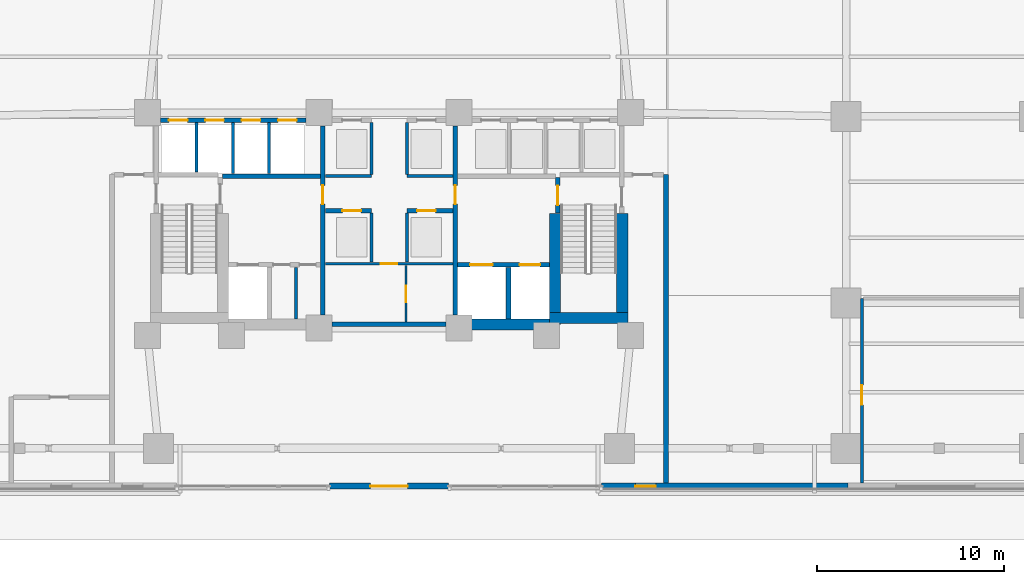
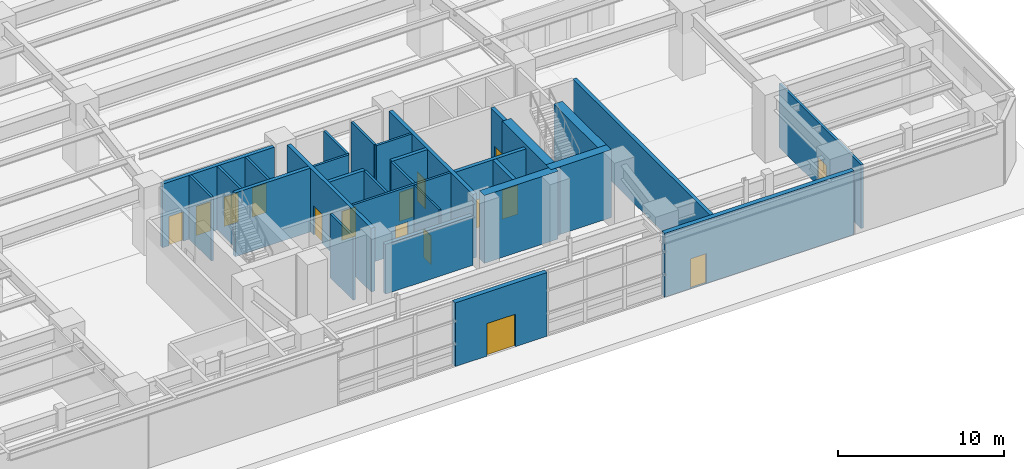
# One storey, part 14 of 26: 30 walls, 16 doors, 16 openings.
"""IFC4 building model written with IfcOpenShell, lengths in metres."""

import ifcopenshell
import ifcopenshell.guid

model = None  # the IFC model being written
_history = None  # IfcOwnerHistory: only IFC2X3 demands one
_inside = {}  # id of a spatial element -> (the spatial element, [elements in it])
_under = {}  # id of a project, library or spatial element -> (it, [spatial elements below it])
_declared = {}  # id of a project -> (the project, [libraries it declares])
_typed = {}  # id of a type object -> (the type object, [elements of that type])
_made_of = {}  # id of a material, layer set ... -> (it, [elements and type objects made of it])


def new_model(schema):
    """Start an empty IFC model of exactly this schema.

    Asked for "IFC4X3", IfcOpenShell would pick the latest addendum, in which some entities
    have other attributes; the version numbers below select the first issue.
    IFC2X3 requires an IfcOwnerHistory on every rooted entity: one is made here for all.
    """
    global model, _history
    if schema == "IFC4X3":
        model = ifcopenshell.file(schema_version=(4, 3, 0, 0))
    else:
        model = ifcopenshell.file(schema=schema)
    _inside.clear()
    _under.clear()
    _declared.clear()
    _typed.clear()
    _made_of.clear()
    _history = None
    if model.schema == "IFC2X3":
        org = make("IfcOrganization", Name="unknown")
        user = make(
            "IfcPersonAndOrganization",
            ThePerson=make("IfcPerson", FamilyName="unknown"),
            TheOrganization=org,
        )
        app = make(
            "IfcApplication",
            ApplicationDeveloper=org,
            Version="unknown",
            ApplicationFullName="unknown",
            ApplicationIdentifier="unknown",
        )
        _history = make(
            "IfcOwnerHistory",
            OwningUser=user,
            OwningApplication=app,
            ChangeAction="ADDED",
            CreationDate=0,
        )
    return model


def make(cls, **values):
    """One entity of the class cls with the attributes given. An attribute that is None is left unset."""
    return model.create_entity(
        cls, **{name: value for name, value in values.items() if value is not None}
    )


def rooted(cls, **values):
    """An entity with a GlobalId (a new one), such as an element, a storey or a relation."""
    return make(cls, GlobalId=ifcopenshell.guid.new(), OwnerHistory=_history, **values)


def si_unit(unit_type, name, prefix=None):
    """IfcSIUnit, for example si_unit("LENGTHUNIT", "METRE", prefix="MILLI")."""
    return make("IfcSIUnit", UnitType=unit_type, Prefix=prefix, Name=name)


def assignment(units):
    """IfcUnitAssignment: the units of a project."""
    return None if units is None else make("IfcUnitAssignment", Units=units)


def point(xyz):
    """IfcCartesianPoint."""
    return None if xyz is None else make("IfcCartesianPoint", Coordinates=xyz)


def direction(xyz):
    """IfcDirection."""
    return None if xyz is None else make("IfcDirection", DirectionRatios=xyz)


def frame(location, z_axis=None, x_axis=None):
    """IfcAxis2Placement3D, a coordinate frame: its origin and axes. An axis left out is left unset."""
    return make(
        "IfcAxis2Placement3D",
        Location=point(location),
        Axis=direction(z_axis),
        RefDirection=direction(x_axis),
    )


def frame_2d(location, x_axis=None):
    """IfcAxis2Placement2D, a coordinate frame in the plane: its origin and x axis."""
    return make(
        "IfcAxis2Placement2D", Location=point(location), RefDirection=direction(x_axis)
    )


def origin():
    """The frame at (0, 0, 0) with its axes left unset."""
    return frame((0.0, 0.0, 0.0))


def place(relative_to, where):
    """IfcLocalPlacement: puts the frame where relative to a parent placement (None: the world)."""
    return make(
        "IfcLocalPlacement", PlacementRelTo=relative_to, RelativePlacement=where
    )


def context(
    kind, dimensions, precision=None, world=None, true_north=None, identifier=None
):
    """IfcGeometricRepresentationContext, for example the 3D "Model" context."""
    return make(
        "IfcGeometricRepresentationContext",
        ContextIdentifier=identifier,
        ContextType=kind,
        CoordinateSpaceDimension=dimensions,
        Precision=precision,
        WorldCoordinateSystem=world,
        TrueNorth=true_north,
    )


def subcontext(parent, identifier, kind, view, scale=None):
    """IfcGeometricRepresentationSubContext, for example "Body" below "Model"."""
    return make(
        "IfcGeometricRepresentationSubContext",
        ContextIdentifier=identifier,
        ContextType=kind,
        ParentContext=parent,
        TargetScale=scale,
        TargetView=view,
    )


def project(units=None, contexts=None):
    """IfcProject with its units and contexts."""
    return rooted(
        "IfcProject",
        Name="project",
        RepresentationContexts=contexts,
        UnitsInContext=assignment(units),
    )


def spatial(cls, under=None, at=None, **own):
    """A site, building, storey or space (cls), placed at a placement, below another one or the project."""
    s = rooted(cls, ObjectPlacement=at, **own)
    if under is not None:
        _under.setdefault(under.id(), (under, []))[1].append(s)
    return s


def profile(cls, at=None, kind="AREA", **sizes):
    """A parametric profile (cls). Its sizes go by their IFC names, for example OverallWidth=200.0."""
    return make(cls, ProfileType=kind, Position=at, **sizes)


def rectangle(**sizes):
    """IfcRectangleProfileDef."""
    return profile("IfcRectangleProfileDef", **sizes)


def extrude(swept, where, along, depth):
    """IfcExtrudedAreaSolid: the profile swept, set in the frame where, extruded along a direction by depth."""
    return make(
        "IfcExtrudedAreaSolid",
        SweptArea=swept,
        Position=where,
        ExtrudedDirection=direction(along),
        Depth=depth,
    )


def shape(context_of_items, identifier, shape_type, items):
    """IfcShapeRepresentation: the items that make up one representation, for example the "Body"."""
    return make(
        "IfcShapeRepresentation",
        ContextOfItems=context_of_items,
        RepresentationIdentifier=identifier,
        RepresentationType=shape_type,
        Items=items,
    )


def material(Name=None, Category=None):
    """IfcMaterial."""
    return make("IfcMaterial", Name=Name, Category=Category)


def layer(
    of_material, thickness, ventilated=None, Name=None, Category=None, Priority=None
):
    """IfcMaterialLayer: one layer of a wall or slab, of a material (None: an air gap)."""
    return make(
        "IfcMaterialLayer",
        Material=of_material,
        LayerThickness=thickness,
        IsVentilated=ventilated,
        Name=Name,
        Category=Category,
        Priority=Priority,
    )


def layer_set(layers, Name=None):
    """IfcMaterialLayerSet."""
    return make("IfcMaterialLayerSet", MaterialLayers=layers, LayerSetName=Name)


def made_of(thing, what):
    """Note that an element or type object is made of a material, layer set ...; save() writes the relation."""
    if what is not None:
        _made_of.setdefault(what.id(), (what, []))[1].append(thing)
    return thing


def type_object(cls, material=None, **own):
    """A type object (cls), such as IfcWallType, which elements share."""
    return made_of(rooted(cls, **own), material)


def element(
    cls,
    number,
    at=None,
    inside=None,
    cuts=None,
    type_object=None,
    material=None,
    context=None,
    identifier="Body",
    shape_type=None,
    held_by="IfcProductDefinitionShape",
    body=None,
    shapes=None,
    **own,
):
    """One element of the class cls, such as IfcWall. Its Tag is "e" and its number.

    at: its placement. inside: the storey or other place that contains it. cuts: it is an
    opening in that element (IfcRelVoidsElement). A single representation is given by context,
    identifier, shape_type and body (its items); several are given by shapes. held_by: the class
    of the entity that holds the representations. save() writes the other relations.
    """
    e = rooted(cls, Tag="e%d" % number, ObjectPlacement=at, **own)
    if body is not None:
        shapes = [shape(context, identifier, shape_type, body)]
    if shapes is not None:
        e.Representation = make(held_by, Representations=shapes)
    if inside is not None:
        _inside.setdefault(inside.id(), (inside, []))[1].append(e)
    if cuts is not None:
        rooted(
            "IfcRelVoidsElement", RelatingBuildingElement=cuts, RelatedOpeningElement=e
        )
    if type_object is not None:
        _typed.setdefault(type_object.id(), (type_object, []))[1].append(e)
    return made_of(e, material)


def fill(opening, filler):
    """IfcRelFillsElement: the door or window that sits in an opening."""
    return rooted(
        "IfcRelFillsElement",
        RelatingOpeningElement=opening,
        RelatedBuildingElement=filler,
    )


def aggregate(whole, parts):
    """IfcRelAggregates: a whole, such as a stair, and the parts it consists of."""
    return rooted("IfcRelAggregates", RelatingObject=whole, RelatedObjects=parts)


def save(model, path):
    """Write the relations noted so far, then the file.

    IfcRelAggregates (storeys below a building ...), IfcRelContainedInSpatialStructure (elements
    in a storey), IfcRelDefinesByType, IfcRelAssociatesMaterial and IfcRelDeclares: one each for
    every whole, place, type object, material and project.
    """
    for whole, parts in _under.values():
        aggregate(whole, parts)
    for where, things in _inside.values():
        rooted(
            "IfcRelContainedInSpatialStructure",
            RelatedElements=things,
            RelatingStructure=where,
        )
    for kind, things in _typed.values():
        rooted("IfcRelDefinesByType", RelatedObjects=things, RelatingType=kind)
    for what, things in _made_of.values():
        rooted("IfcRelAssociatesMaterial", RelatedObjects=things, RelatingMaterial=what)
    for by, libraries in _declared.values():
        rooted("IfcRelDeclares", RelatingContext=by, RelatedDefinitions=libraries)
    model.write(path)


model = new_model("IFC4")

# Units and contexts
model_context = context("Model", 3, precision=1e-05, world=origin(), true_north=direction((0.0, 1.0)))
body_context = subcontext(model_context, "Body", "Model", "MODEL_VIEW")
ifc_project = project(units=[si_unit("LENGTHUNIT", "METRE"), si_unit("AREAUNIT", "SQUARE_METRE"), si_unit("VOLUMEUNIT", "CUBIC_METRE"), si_unit("PLANEANGLEUNIT", "RADIAN"), si_unit("MASSUNIT", "GRAM", prefix="KILO")], contexts=[model_context])

# Site, building, storey
site_placement = place(None, origin())
site = spatial("IfcSite", under=ifc_project, at=site_placement, CompositionType="ELEMENT")
building_placement = place(site_placement, origin())
building = spatial("IfcBuilding", under=site, at=building_placement, Name="Quenlor Broadcast Tower", CompositionType="ELEMENT")
storey_placement = place(building_placement, origin())
storey = spatial("IfcBuildingStorey", under=building, at=storey_placement, Name="L00", CompositionType="ELEMENT", Elevation=0.0)

# Walls
ifc_material_1 = material(Name="Concrete C65/80", Category="concrete")
ifc_layer_1 = layer(ifc_material_1, 0.60009765625)
ifc_layer_set_1 = layer_set([ifc_layer_1], Name="Core Concrete C65/80 Shear Wall 600")
wall_type_1 = type_object("IfcWallType", Name="Core Concrete C65/80 Shear Wall 600", PredefinedType="SHEAR", material=ifc_layer_set_1)
wall_1_placement = place(storey_placement, frame((3.75, -16.14990234375, 0.0), z_axis=(0.0, 0.0, 1.0), x_axis=(1.0, 0.0, 0.0)))
element("IfcWall", 1, at=wall_1_placement, inside=storey, type_object=wall_type_1, Name="L00 Core Shear Wall WS-E1", PredefinedType="SHEAR", context=body_context, shape_type="SweptSolid", body=[
    extrude(rectangle(XDim=5.14990234375, YDim=0.60009765625, at=frame_2d((2.574951171875, 0.0))), origin(), (0.0, 0.0, 1.0), 5.0),
])
wall_2_placement = place(storey_placement, frame((8.60009765625, -15.800048828125, 0.0), z_axis=(0.0, 0.0, 1.0), x_axis=(1.0, 0.0, 0.0)))
element("IfcWall", 2, at=wall_2_placement, inside=storey, type_object=wall_type_1, Name="L00 Core Shear Wall WS-E2", PredefinedType="SHEAR", context=body_context, shape_type="SweptSolid", body=[
    extrude(rectangle(XDim=4.199951171875, YDim=0.60009765625, at=frame_2d((2.10009765625, 0.0))), origin(), (0.0, 0.0, 1.0), 5.0),
])
wall_3_placement = place(storey_placement, frame((12.5, -15.800048828125, 0.0), z_axis=(0.0, 0.0, 1.0), x_axis=(0.0, 1.0, 0.0)))
element("IfcWall", 3, at=wall_3_placement, inside=storey, type_object=wall_type_1, Name="L00 Core Shear Wall WF-E", PredefinedType="SHEAR", context=body_context, shape_type="SweptSolid", body=[
    extrude(rectangle(XDim=5.60009765625, YDim=0.60009765625, at=frame_2d((2.800048828125, 0.0))), origin(), (0.0, 0.0, 1.0), 5.0),
])
wall_4_placement = place(storey_placement, frame((8.89990234375, -16.14990234375, 0.0), z_axis=(0.0, 0.0, 1.0), x_axis=(0.0, 1.0, 0.0)))
element("IfcWall", 4, at=wall_4_placement, inside=storey, type_object=wall_type_1, Name="L00 Core Shear Wall WI-E", PredefinedType="SHEAR", context=body_context, shape_type="SweptSolid", body=[
    extrude(rectangle(XDim=5.949951171875, YDim=0.60009765625, at=frame_2d((2.97509765625, 0.0))), origin(), (0.0, 0.0, 1.0), 5.0),
])

# Wall, opening, door
ifc_material_2 = material(Name="Concrete C40/50", Category="concrete")
ifc_layer_2 = layer(ifc_material_2, 0.25)
ifc_layer_set_2 = layer_set([ifc_layer_2], Name="Fire Rated Concrete C40/50 Core Wall 250")
wall_type_2 = type_object("IfcWallType", Name="Fire Rated Concrete C40/50 Core Wall 250", PredefinedType="PARTITIONING", material=ifc_layer_set_2)
wall_5_placement = place(storey_placement, frame((9.0400390625, -10.179931640625, 0.0), z_axis=(0.0, 0.0, 1.0), x_axis=(0.0, 1.0, 0.0)))
wall_5 = element("IfcWall", 5, at=wall_5_placement, inside=storey, type_object=wall_type_2, Name="L00 Interior Wall CW-ST2-DR", PredefinedType="PARTITIONING", context=body_context, shape_type="SweptSolid", body=[
    extrude(rectangle(XDim=1.89990234375, YDim=0.25, at=frame_2d((0.949951171875, 0.0))), origin(), (0.0, 0.0, 1.0), 4.699951171875),
])
opening_1_placement = place(wall_5_placement, frame((0.419921875, 0.0, 0.0)))
opening_1 = element("IfcOpeningElement", 6, at=opening_1_placement, cuts=wall_5, Name="Opening FD-1", PredefinedType="OPENING", context=body_context, shape_type="SweptSolid", body=[
    extrude(rectangle(XDim=1.050048828125, YDim=2.14990234375, at=frame_2d((0.52490234375, 1.074951171875))), frame((0.0, 0.135009765625, 0.0), z_axis=(0.0, -1.0, 0.0), x_axis=(1.0, 0.0, 0.0)), (0.0, 0.0, 1.0), 0.27001953125),
])
ifc_material_3 = material(Name="Fire Rated Steel Door Leaf", Category="steel")
door_type_1 = type_object("IfcDoorType", Name="Fire Isolated Stair Door 1050x2150", OperationType="NOTDEFINED", PredefinedType="DOOR", material=ifc_material_3)
door_1_placement = place(opening_1_placement, origin())
door_1 = element("IfcDoor", 7, at=door_1_placement, inside=storey, type_object=door_type_1, Name="L00 Door DR-ST2", OperationType="SINGLE_SWING_RIGHT", OverallHeight=2.14990234375, OverallWidth=1.050048828125, PredefinedType="DOOR", context=body_context, shape_type="SweptSolid", body=[
    extrude(rectangle(XDim=1.050048828125, YDim=2.14990234375, at=frame_2d((0.52490234375, 1.074951171875))), frame((0.0, 0.02490234375, 0.0), z_axis=(0.0, -1.0, 0.0), x_axis=(1.0, 0.0, 0.0)), (0.0, 0.0, 1.0), 0.050048828125),
])
fill(opening_1, door_1)

# Wall, openings, doors
wall_6_placement = place(storey_placement, frame((3.679931640625, -12.949951171875, 0.0), z_axis=(0.0, 0.0, 1.0), x_axis=(1.0, 0.0, 0.0)))
wall_6 = element("IfcWall", 8, at=wall_6_placement, inside=storey, type_object=wall_type_2, Name="L00 Interior Wall CW-FFE-S", PredefinedType="PARTITIONING", context=body_context, shape_type="SweptSolid", body=[
    extrude(rectangle(XDim=4.91796875, YDim=0.25, at=frame_2d((2.458984375, 0.0))), origin(), (0.0, 0.0, 1.0), 4.699951171875),
])
opening_2_placement = place(wall_6_placement, frame((3.320068359375, 0.0, 0.0)))
opening_2 = element("IfcOpeningElement", 9, at=opening_2_placement, cuts=wall_6, Name="Opening LD-FFL-2", PredefinedType="OPENING", context=body_context, shape_type="SweptSolid", body=[
    extrude(rectangle(XDim=1.10009765625, YDim=2.14990234375, at=frame_2d((0.550048828125, 1.074951171875))), frame((0.0, 0.135009765625, 0.0), z_axis=(0.0, -1.0, 0.0), x_axis=(1.0, 0.0, 0.0)), (0.0, 0.0, 1.0), 0.27001953125),
])
opening_3_placement = place(wall_6_placement, frame((0.669921875, 0.0, 0.0)))
opening_3 = element("IfcOpeningElement", 10, at=opening_3_placement, cuts=wall_6, Name="Opening LD-SVL-1", PredefinedType="OPENING", context=body_context, shape_type="SweptSolid", body=[
    extrude(rectangle(XDim=1.199951171875, YDim=2.14990234375, at=frame_2d((0.60009765625, 1.074951171875))), frame((0.0, 0.135009765625, 0.0), z_axis=(0.0, -1.0, 0.0), x_axis=(1.0, 0.0, 0.0)), (0.0, 0.0, 1.0), 0.27001953125),
])
ifc_material_4 = material(Name="Brushed Stainless Steel", Category="steel")
door_type_2 = type_object("IfcDoorType", Name="Emergency Lift Sliding Landing Door 1100x2150", OperationType="NOTDEFINED", PredefinedType="DOOR", material=ifc_material_4)
door_2_placement = place(opening_2_placement, origin())
door_2 = element("IfcDoor", 11, at=door_2_placement, inside=storey, type_object=door_type_2, Name="L00 Door LD-FFL-2", OperationType="SLIDING_TO_RIGHT", OverallHeight=2.14990234375, OverallWidth=1.10009765625, PredefinedType="DOOR", context=body_context, shape_type="SweptSolid", body=[
    extrude(rectangle(XDim=1.10009765625, YDim=2.14990234375, at=frame_2d((0.550048828125, 1.074951171875))), frame((0.0, 0.02490234375, 0.0), z_axis=(0.0, -1.0, 0.0), x_axis=(1.0, 0.0, 0.0)), (0.0, 0.0, 1.0), 0.050048828125),
])
fill(opening_2, door_2)
ifc_material_5 = material(Name="Brushed Stainless Steel", Category="steel")
door_type_3 = type_object("IfcDoorType", Name="Goods Lift Sliding Landing Door 1200x2150", OperationType="NOTDEFINED", PredefinedType="DOOR", material=ifc_material_5)
door_3_placement = place(opening_3_placement, origin())
door_3 = element("IfcDoor", 12, at=door_3_placement, inside=storey, type_object=door_type_3, Name="L00 Door LD-SVL-1", OperationType="SLIDING_TO_LEFT", OverallHeight=2.14990234375, OverallWidth=1.199951171875, PredefinedType="DOOR", context=body_context, shape_type="SweptSolid", body=[
    extrude(rectangle(XDim=1.199951171875, YDim=2.14990234375, at=frame_2d((0.60009765625, 1.074951171875))), frame((0.0, 0.02490234375, 0.0), z_axis=(0.0, -1.0, 0.0), x_axis=(1.0, 0.0, 0.0)), (0.0, 0.0, 1.0), 0.050048828125),
])
fill(opening_3, door_3)

# Walls
wall_7_placement = place(storey_placement, frame((6.39990234375, -15.847900390625, 0.0), z_axis=(0.0, 0.0, 1.0), x_axis=(0.0, 1.0, 0.0)))
element("IfcWall", 13, at=wall_7_placement, inside=storey, type_object=wall_type_2, Name="L00 Interior Wall CW-SV1-E", PredefinedType="PARTITIONING", context=body_context, shape_type="SweptSolid", body=[
    extrude(rectangle(XDim=2.7578125, YDim=0.25, at=frame_2d((1.37890625, 0.0))), origin(), (0.0, 0.0, 1.0), 4.699951171875),
])
wall_8_placement = place(storey_placement, frame((-8.919921875, -8.199951171875, 0.0), z_axis=(0.0, 0.0, 1.0), x_axis=(1.0, 0.0, 0.0)))
element("IfcWall", 14, at=wall_8_placement, inside=storey, type_object=wall_type_2, Name="L00 Interior Wall CW-FFW-N", PredefinedType="PARTITIONING", context=body_context, shape_type="SweptSolid", body=[
    extrude(rectangle(XDim=5.239990234375, YDim=0.25, at=frame_2d((2.6201171875, 0.0))), origin(), (0.0, 0.0, 1.0), 4.699951171875),
])

# Wall, opening, door
wall_9_placement = place(storey_placement, frame((-3.550048828125, -15.64794921875, 0.0), z_axis=(0.0, 0.0, 1.0), x_axis=(0.0, 1.0, 0.0)))
wall_9 = element("IfcWall", 15, at=wall_9_placement, inside=storey, type_object=wall_type_2, Name="L00 Interior Wall CW-FFW-E", PredefinedType="PARTITIONING", context=body_context, shape_type="SweptSolid", body=[
    extrude(rectangle(XDim=10.14599609375, YDim=0.25, at=frame_2d((5.072998046875, 0.0))), origin(), (0.0, 0.0, 1.0), 4.699951171875),
])
opening_4_placement = place(wall_9_placement, frame((5.947998046875, 0.0, 0.0)))
opening_4 = element("IfcOpeningElement", 16, at=opening_4_placement, cuts=wall_9, Name="Opening FD-2", PredefinedType="OPENING", context=body_context, shape_type="SweptSolid", body=[
    extrude(rectangle(XDim=1.0, YDim=2.14990234375, at=frame_2d((0.5, 1.074951171875))), frame((0.0, 0.135009765625, 0.0), z_axis=(0.0, -1.0, 0.0), x_axis=(1.0, 0.0, 0.0)), (0.0, 0.0, 1.0), 0.27001953125),
])
ifc_material_6 = material(Name="Fire Rated Glazed Steel Door", Category="steel")
door_type_4 = type_object("IfcDoorType", Name="Firefighting Lobby Smoke Door 1000x2150", OperationType="NOTDEFINED", PredefinedType="DOOR", material=ifc_material_6)
door_4_placement = place(opening_4_placement, origin())
door_4 = element("IfcDoor", 17, at=door_4_placement, inside=storey, type_object=door_type_4, Name="L00 Door DR-FFLW", OperationType="SINGLE_SWING_RIGHT", OverallHeight=2.14990234375, OverallWidth=1.0, PredefinedType="DOOR", context=body_context, shape_type="SweptSolid", body=[
    extrude(rectangle(XDim=1.0, YDim=2.14990234375, at=frame_2d((0.5, 1.074951171875))), frame((0.0, 0.02490234375, 0.0), z_axis=(0.0, -1.0, 0.0), x_axis=(1.0, 0.0, 0.0)), (0.0, 0.0, 1.0), 0.050048828125),
])
fill(opening_4, door_4)

wall_10_placement = place(storey_placement, frame((3.550048828125, -15.64794921875, 0.0), z_axis=(0.0, 0.0, 1.0), x_axis=(0.0, 1.0, 0.0)))
wall_10 = element("IfcWall", 18, at=wall_10_placement, inside=storey, type_object=wall_type_2, Name="L00 Interior Wall CW-FFE-W", PredefinedType="PARTITIONING", context=body_context, shape_type="SweptSolid", body=[
    extrude(rectangle(XDim=10.14599609375, YDim=0.25, at=frame_2d((5.072998046875, 0.0))), origin(), (0.0, 0.0, 1.0), 4.699951171875),
])
opening_5_placement = place(wall_10_placement, frame((5.947998046875, 0.0, 0.0)))
opening_5 = element("IfcOpeningElement", 19, at=opening_5_placement, cuts=wall_10, Name="Opening FD-2", PredefinedType="OPENING", context=body_context, shape_type="SweptSolid", body=[
    extrude(rectangle(XDim=1.0, YDim=2.14990234375, at=frame_2d((0.5, 1.074951171875))), frame((0.0, 0.135009765625, 0.0), z_axis=(0.0, -1.0, 0.0), x_axis=(1.0, 0.0, 0.0)), (0.0, 0.0, 1.0), 0.27001953125),
])
door_5_placement = place(opening_5_placement, origin())
door_5 = element("IfcDoor", 20, at=door_5_placement, inside=storey, type_object=door_type_4, Name="L00 Door DR-FFLE", OperationType="SINGLE_SWING_LEFT", OverallHeight=2.14990234375, OverallWidth=1.0, PredefinedType="DOOR", context=body_context, shape_type="SweptSolid", body=[
    extrude(rectangle(XDim=1.0, YDim=2.14990234375, at=frame_2d((0.5, 1.074951171875))), frame((0.0, 0.02490234375, 0.0), z_axis=(0.0, -1.0, 0.0), x_axis=(1.0, 0.0, 0.0)), (0.0, 0.0, 1.0), 0.050048828125),
])
fill(opening_5, door_5)

# Wall, openings, doors
wall_11_placement = place(storey_placement, frame((-12.248046875, -5.199951171875, 0.0), z_axis=(0.0, 0.0, 1.0), x_axis=(1.0, 0.0, 0.0)))
wall_11 = element("IfcWall", 21, at=wall_11_placement, inside=storey, type_object=wall_type_2, Name="L00 Interior Wall CW-N-W", PredefinedType="PARTITIONING", context=body_context, shape_type="SweptSolid", body=[
    extrude(rectangle(XDim=7.796142578125, YDim=0.25, at=frame_2d((3.89794921875, 0.0))), origin(), (0.0, 0.0, 1.0), 4.699951171875),
])
opening_6_placement = place(wall_11_placement, frame((0.447998046875, 0.0, 0.0)))
opening_6 = element("IfcOpeningElement", 22, at=opening_6_placement, cuts=wall_11, Name="Opening LD-PL-L1", PredefinedType="OPENING", context=body_context, shape_type="SweptSolid", body=[
    extrude(rectangle(XDim=1.0, YDim=2.14990234375, at=frame_2d((0.5, 1.074951171875))), frame((0.0, 0.135009765625, 0.0), z_axis=(0.0, -1.0, 0.0), x_axis=(1.0, 0.0, 0.0)), (0.0, 0.0, 1.0), 0.27001953125),
])
opening_7_placement = place(wall_11_placement, frame((2.39794921875, 0.0, 0.0)))
opening_7 = element("IfcOpeningElement", 23, at=opening_7_placement, cuts=wall_11, Name="Opening LD-PL-L2", PredefinedType="OPENING", context=body_context, shape_type="SweptSolid", body=[
    extrude(rectangle(XDim=1.0, YDim=2.14990234375, at=frame_2d((0.5, 1.074951171875))), frame((0.0, 0.135009765625, 0.0), z_axis=(0.0, -1.0, 0.0), x_axis=(1.0, 0.0, 0.0)), (0.0, 0.0, 1.0), 0.27001953125),
])
opening_8_placement = place(wall_11_placement, frame((4.347900390625, 0.0, 0.0)))
opening_8 = element("IfcOpeningElement", 24, at=opening_8_placement, cuts=wall_11, Name="Opening LD-PL-L3", PredefinedType="OPENING", context=body_context, shape_type="SweptSolid", body=[
    extrude(rectangle(XDim=1.0, YDim=2.14990234375, at=frame_2d((0.5, 1.074951171875))), frame((0.0, 0.135009765625, 0.0), z_axis=(0.0, -1.0, 0.0), x_axis=(1.0, 0.0, 0.0)), (0.0, 0.0, 1.0), 0.27001953125),
])
opening_9_placement = place(wall_11_placement, frame((6.298095703125, 0.0, 0.0)))
opening_9 = element("IfcOpeningElement", 25, at=opening_9_placement, cuts=wall_11, Name="Opening LD-PL-L4", PredefinedType="OPENING", context=body_context, shape_type="SweptSolid", body=[
    extrude(rectangle(XDim=1.0, YDim=2.14990234375, at=frame_2d((0.5, 1.074951171875))), frame((0.0, 0.135009765625, 0.0), z_axis=(0.0, -1.0, 0.0), x_axis=(1.0, 0.0, 0.0)), (0.0, 0.0, 1.0), 0.27001953125),
])
ifc_material_7 = material(Name="Brushed Stainless Steel", Category="steel")
door_type_5 = type_object("IfcDoorType", Name="Passenger Lift Sliding Landing Door 1000x2150", OperationType="NOTDEFINED", PredefinedType="DOOR", material=ifc_material_7)
door_6_placement = place(opening_6_placement, origin())
door_6 = element("IfcDoor", 26, at=door_6_placement, inside=storey, type_object=door_type_5, Name="L00 Door LD-PL-L1", OperationType="SLIDING_TO_LEFT", OverallHeight=2.14990234375, OverallWidth=1.0, PredefinedType="DOOR", context=body_context, shape_type="SweptSolid", body=[
    extrude(rectangle(XDim=1.0, YDim=2.14990234375, at=frame_2d((0.5, 1.074951171875))), frame((0.0, 0.02490234375, 0.0), z_axis=(0.0, -1.0, 0.0), x_axis=(1.0, 0.0, 0.0)), (0.0, 0.0, 1.0), 0.050048828125),
])
fill(opening_6, door_6)
door_7_placement = place(opening_7_placement, origin())
door_7 = element("IfcDoor", 27, at=door_7_placement, inside=storey, type_object=door_type_5, Name="L00 Door LD-PL-L2", OperationType="SLIDING_TO_LEFT", OverallHeight=2.14990234375, OverallWidth=1.0, PredefinedType="DOOR", context=body_context, shape_type="SweptSolid", body=[
    extrude(rectangle(XDim=1.0, YDim=2.14990234375, at=frame_2d((0.5, 1.074951171875))), frame((0.0, 0.02490234375, 0.0), z_axis=(0.0, -1.0, 0.0), x_axis=(1.0, 0.0, 0.0)), (0.0, 0.0, 1.0), 0.050048828125),
])
fill(opening_7, door_7)
door_8_placement = place(opening_8_placement, origin())
door_8 = element("IfcDoor", 28, at=door_8_placement, inside=storey, type_object=door_type_5, Name="L00 Door LD-PL-L3", OperationType="SLIDING_TO_LEFT", OverallHeight=2.14990234375, OverallWidth=1.0, PredefinedType="DOOR", context=body_context, shape_type="SweptSolid", body=[
    extrude(rectangle(XDim=1.0, YDim=2.14990234375, at=frame_2d((0.5, 1.074951171875))), frame((0.0, 0.02490234375, 0.0), z_axis=(0.0, -1.0, 0.0), x_axis=(1.0, 0.0, 0.0)), (0.0, 0.0, 1.0), 0.050048828125),
])
fill(opening_8, door_8)
door_9_placement = place(opening_9_placement, origin())
door_9 = element("IfcDoor", 29, at=door_9_placement, inside=storey, type_object=door_type_5, Name="L00 Door LD-PL-L4", OperationType="SLIDING_TO_LEFT", OverallHeight=2.14990234375, OverallWidth=1.0, PredefinedType="DOOR", context=body_context, shape_type="SweptSolid", body=[
    extrude(rectangle(XDim=1.0, YDim=2.14990234375, at=frame_2d((0.5, 1.074951171875))), frame((0.0, 0.02490234375, 0.0), z_axis=(0.0, -1.0, 0.0), x_axis=(1.0, 0.0, 0.0)), (0.0, 0.0, 1.0), 0.050048828125),
])
fill(opening_9, door_9)

# Wall
wall_12_placement = place(storey_placement, frame((-3.048095703125, -16.14990234375, 0.0), z_axis=(0.0, 0.0, 1.0), x_axis=(1.0, 0.0, 0.0)))
element("IfcWall", 30, at=wall_12_placement, inside=storey, type_object=wall_type_2, Name="L00 Interior Wall CW-MS-S", PredefinedType="PARTITIONING", context=body_context, shape_type="SweptSolid", body=[
    extrude(rectangle(XDim=6.09619140625, YDim=0.25, at=frame_2d((3.048095703125, 0.0))), origin(), (0.0, 0.0, 1.0), 3.676025390625),
])

# Wall, opening, door
wall_13_placement = place(storey_placement, frame((-3.419921875, -10.050048828125, 0.0), z_axis=(0.0, 0.0, 1.0), x_axis=(1.0, 0.0, 0.0)))
wall_13 = element("IfcWall", 31, at=wall_13_placement, inside=storey, type_object=wall_type_2, Name="L00 Interior Wall CW-MS-N1", PredefinedType="PARTITIONING", context=body_context, shape_type="SweptSolid", body=[
    extrude(rectangle(XDim=2.469970703125, YDim=0.25, at=frame_2d((1.23486328125, 0.0))), origin(), (0.0, 0.0, 1.0), 4.699951171875),
])
opening_10_placement = place(wall_13_placement, frame((0.919921875, 0.0, 0.0)))
opening_10 = element("IfcOpeningElement", 32, at=opening_10_placement, cuts=wall_13, Name="Opening LD-PL-M3", PredefinedType="OPENING", context=body_context, shape_type="SweptSolid", body=[
    extrude(rectangle(XDim=1.0, YDim=2.14990234375, at=frame_2d((0.5, 1.074951171875))), frame((0.0, 0.135009765625, 0.0), z_axis=(0.0, -1.0, 0.0), x_axis=(1.0, 0.0, 0.0)), (0.0, 0.0, 1.0), 0.27001953125),
])
door_10_placement = place(opening_10_placement, origin())
door_10 = element("IfcDoor", 33, at=door_10_placement, inside=storey, type_object=door_type_5, Name="L00 Door LD-PL-M3", OperationType="SLIDING_TO_LEFT", OverallHeight=2.14990234375, OverallWidth=1.0, PredefinedType="DOOR", context=body_context, shape_type="SweptSolid", body=[
    extrude(rectangle(XDim=1.0, YDim=2.14990234375, at=frame_2d((0.5, 1.074951171875))), frame((0.0, 0.02490234375, 0.0), z_axis=(0.0, -1.0, 0.0), x_axis=(1.0, 0.0, 0.0)), (0.0, 0.0, 1.0), 0.050048828125),
])
fill(opening_10, door_10)

wall_14_placement = place(storey_placement, frame((0.949951171875, -10.050048828125, 0.0), z_axis=(0.0, 0.0, 1.0), x_axis=(1.0, 0.0, 0.0)))
wall_14 = element("IfcWall", 34, at=wall_14_placement, inside=storey, type_object=wall_type_2, Name="L00 Interior Wall CW-MS-N2", PredefinedType="PARTITIONING", context=body_context, shape_type="SweptSolid", body=[
    extrude(rectangle(XDim=2.469970703125, YDim=0.25, at=frame_2d((1.23486328125, 0.0))), origin(), (0.0, 0.0, 1.0), 4.699951171875),
])
opening_11_placement = place(wall_14_placement, frame((0.550048828125, 0.0, 0.0)))
opening_11 = element("IfcOpeningElement", 35, at=opening_11_placement, cuts=wall_14, Name="Opening LD-PL-M4", PredefinedType="OPENING", context=body_context, shape_type="SweptSolid", body=[
    extrude(rectangle(XDim=1.0, YDim=2.14990234375, at=frame_2d((0.5, 1.074951171875))), frame((0.0, 0.135009765625, 0.0), z_axis=(0.0, -1.0, 0.0), x_axis=(1.0, 0.0, 0.0)), (0.0, 0.0, 1.0), 0.27001953125),
])
door_11_placement = place(opening_11_placement, origin())
door_11 = element("IfcDoor", 36, at=door_11_placement, inside=storey, type_object=door_type_5, Name="L00 Door LD-PL-M4", OperationType="SLIDING_TO_RIGHT", OverallHeight=2.14990234375, OverallWidth=1.0, PredefinedType="DOOR", context=body_context, shape_type="SweptSolid", body=[
    extrude(rectangle(XDim=1.0, YDim=2.14990234375, at=frame_2d((0.5, 1.074951171875))), frame((0.0, 0.02490234375, 0.0), z_axis=(0.0, -1.0, 0.0), x_axis=(1.0, 0.0, 0.0)), (0.0, 0.0, 1.0), 0.050048828125),
])
fill(opening_11, door_11)

# Walls
wall_15_placement = place(storey_placement, frame((14.85009765625, -24.657958984375, 0.0), z_axis=(0.0, 0.0, 1.0), x_axis=(0.0, 1.0, 0.0)))
element("IfcWall", 37, at=wall_15_placement, inside=storey, type_object=wall_type_2, Name="L00 Interior Wall PW-L00-EXE", PredefinedType="PARTITIONING", context=body_context, shape_type="SweptSolid", body=[
    extrude(rectangle(XDim=16.537841796875, YDim=0.25, at=frame_2d((8.26904296875, 0.0))), origin(), (0.0, 0.0, 1.0), 4.699951171875),
])
ifc_material_8 = material(Name="Gypsum Fireboard Partition", Category="other")
ifc_layer_3 = layer(ifc_material_8, 0.159912109375)
ifc_layer_set_3 = layer_set([ifc_layer_3], Name="Fire Rated Shaft and Corridor Partition 160")
wall_type_3 = type_object("IfcWallType", Name="Fire Rated Shaft and Corridor Partition 160", PredefinedType="PARTITIONING", material=ifc_layer_set_3)
wall_16_placement = place(storey_placement, frame((-4.97998046875, -15.847900390625, 0.0), z_axis=(0.0, 0.0, 1.0), x_axis=(0.0, 1.0, 0.0)))
element("IfcWall", 38, at=wall_16_placement, inside=storey, type_object=wall_type_3, Name="L00 Interior Wall CW-ELR-E", PredefinedType="PARTITIONING", context=body_context, shape_type="SweptSolid", body=[
    extrude(rectangle(XDim=2.7578125, YDim=0.159912109375, at=frame_2d((1.37890625, 0.0))), origin(), (0.0, 0.0, 1.0), 4.699951171875),
])
wall_17_placement = place(storey_placement, frame((-10.324951171875, -7.992919921875, 0.0), z_axis=(0.0, 0.0, 1.0), x_axis=(0.0, 1.0, 0.0)))
element("IfcWall", 39, at=wall_17_placement, inside=storey, type_object=wall_type_3, Name="L00 Interior Wall CW-PLL-D1", PredefinedType="PARTITIONING", context=body_context, shape_type="SweptSolid", body=[
    extrude(rectangle(XDim=2.65283203125, YDim=0.159912109375, at=frame_2d((1.326416015625, 0.0))), origin(), (0.0, 0.0, 1.0), 4.699951171875),
])
for number, where, z_axis, x_axis, name in (
    (40, (-8.375, -8.072998046875, 0.0), (0.0, 0.0, 1.0), (0.0, 1.0, 0.0), "L00 Interior Wall CW-PLL-D2"),
    (41, (-6.425048828125, -8.072998046875, 0.0), (0.0, 0.0, 1.0), (0.0, 1.0, 0.0), "L00 Interior Wall CW-PLL-D3"),
):
    element("IfcWall", number, at=place(storey_placement, frame(where, z_axis=z_axis, x_axis=x_axis)), inside=storey, type_object=wall_type_3, Name=name, PredefinedType="PARTITIONING", context=body_context, shape_type="SweptSolid", body=[
        extrude(rectangle(XDim=2.73291015625, YDim=0.159912109375, at=frame_2d((1.366455078125, 0.0))), origin(), (0.0, 0.0, 1.0), 4.699951171875),
    ])
for number, where, z_axis, x_axis, name in (
    (42, (-0.949951171875, -8.1201171875, 0.0), (0.0, 0.0, 1.0), (0.0, 1.0, 0.0), "L00 Interior Wall CW-CCRP-W"),
    (43, (0.949951171875, -8.1201171875, 0.0), (0.0, 0.0, 1.0), (0.0, 1.0, 0.0), "L00 Interior Wall CW-CCRP-E"),
):
    element("IfcWall", number, at=place(storey_placement, frame(where, z_axis=z_axis, x_axis=x_axis)), inside=storey, type_object=wall_type_3, Name=name, PredefinedType="PARTITIONING", context=body_context, shape_type="SweptSolid", body=[
        extrude(rectangle(XDim=2.780029296875, YDim=0.159912109375, at=frame_2d((1.39013671875, 0.0))), origin(), (0.0, 0.0, 1.0), 4.699951171875),
    ])
for number, where, z_axis, x_axis, name in (
    (44, (-3.419921875, -8.199951171875, 0.0), (0.0, 0.0, 1.0), (1.0, 0.0, 0.0), "L00 Interior Wall CW-M-BACK1"),
    (45, (0.949951171875, -8.199951171875, 0.0), (0.0, 0.0, 1.0), (1.0, 0.0, 0.0), "L00 Interior Wall CW-M-BACK2"),
):
    element("IfcWall", number, at=place(storey_placement, frame(where, z_axis=z_axis, x_axis=x_axis)), inside=storey, type_object=wall_type_3, Name=name, PredefinedType="PARTITIONING", context=body_context, shape_type="SweptSolid", body=[
        extrude(rectangle(XDim=2.469970703125, YDim=0.159912109375, at=frame_2d((1.23486328125, 0.0))), origin(), (0.0, 0.0, 1.0), 4.699951171875),
    ])

# Wall, opening, door
wall_18_placement = place(storey_placement, frame((-3.419921875, -12.89990234375, 0.0), z_axis=(0.0, 0.0, 1.0), x_axis=(1.0, 0.0, 0.0)))
wall_18 = element("IfcWall", 46, at=wall_18_placement, inside=storey, type_object=wall_type_3, Name="L00 Interior Wall CW-MS-B", PredefinedType="PARTITIONING", context=body_context, shape_type="SweptSolid", body=[
    extrude(rectangle(XDim=6.83984375, YDim=0.159912109375, at=frame_2d((3.419921875, 0.0))), origin(), (0.0, 0.0, 1.0), 4.699951171875),
])
opening_12_placement = place(wall_18_placement, frame((2.97998046875, 0.0, 0.0)))
opening_12 = element("IfcOpeningElement", 47, at=opening_12_placement, cuts=wall_18, Name="Opening ID-4", PredefinedType="OPENING", context=body_context, shape_type="SweptSolid", body=[
    extrude(rectangle(XDim=0.8798828125, YDim=2.1201171875, at=frame_2d((0.43994140625, 1.06005859375))), frame((0.0, 0.08984375, 0.0), z_axis=(0.0, -1.0, 0.0), x_axis=(1.0, 0.0, 0.0)), (0.0, 0.0, 1.0), 0.179931640625),
])
ifc_material_9 = material(Name="Solid Core Timber Oak", Category="wood")
door_type_6 = type_object("IfcDoorType", Name="Service Closet Timber Door 880x2120", OperationType="NOTDEFINED", PredefinedType="DOOR", material=ifc_material_9)
door_12_placement = place(opening_12_placement, origin())
door_12 = element("IfcDoor", 48, at=door_12_placement, inside=storey, type_object=door_type_6, Name="L00 Door DR-CSV0", OperationType="SINGLE_SWING_LEFT", OverallHeight=2.1201171875, OverallWidth=0.8798828125, PredefinedType="DOOR", context=body_context, shape_type="SweptSolid", body=[
    extrude(rectangle(XDim=0.8798828125, YDim=2.1201171875, at=frame_2d((0.43994140625, 1.06005859375))), frame((0.0, 0.02490234375, 0.0), z_axis=(0.0, -1.0, 0.0), x_axis=(1.0, 0.0, 0.0)), (0.0, 0.0, 1.0), 0.050048828125),
])
fill(opening_12, door_12)

# Walls
for number, where, z_axis, x_axis, name in (
    (49, (-0.949951171875, -12.818115234375, 0.0), (0.0, 0.0, 1.0), (0.0, 1.0, 0.0), "L00 Interior Wall CW-MS-W"),
    (50, (0.949951171875, -12.818115234375, 0.0), (0.0, 0.0, 1.0), (0.0, 1.0, 0.0), "L00 Interior Wall CW-MS-E"),
):
    element("IfcWall", number, at=place(storey_placement, frame(where, z_axis=z_axis, x_axis=x_axis)), inside=storey, type_object=wall_type_3, Name=name, PredefinedType="PARTITIONING", context=body_context, shape_type="SweptSolid", body=[
        extrude(rectangle(XDim=2.63818359375, YDim=0.159912109375, at=frame_2d((1.319091796875, 0.0))), origin(), (0.0, 0.0, 1.0), 4.699951171875),
    ])

# Wall, opening, door
wall_19_placement = place(storey_placement, frame((25.35009765625, -24.657958984375, 0.0), z_axis=(0.0, 0.0, 1.0), x_axis=(0.0, 1.0, 0.0)))
wall_19 = element("IfcWall", 51, at=wall_19_placement, inside=storey, type_object=wall_type_3, Name="L00 Interior Wall PW-L00-OBW", PredefinedType="PARTITIONING", context=body_context, shape_type="SweptSolid", body=[
    extrude(rectangle(XDim=9.907958984375, YDim=0.159912109375, at=frame_2d((4.9541015625, 0.0))), origin(), (0.0, 0.0, 1.0), 4.699951171875),
])
opening_13_placement = place(wall_19_placement, frame((4.197998046875, 0.0, 0.0)))
opening_13 = element("IfcOpeningElement", 52, at=opening_13_placement, cuts=wall_19, Name="Opening FD-3", PredefinedType="OPENING", context=body_context, shape_type="SweptSolid", body=[
    extrude(rectangle(XDim=1.050048828125, YDim=2.1201171875, at=frame_2d((0.52490234375, 1.06005859375))), frame((0.0, 0.08984375, 0.0), z_axis=(0.0, -1.0, 0.0), x_axis=(1.0, 0.0, 0.0)), (0.0, 0.0, 1.0), 0.179931640625),
])
ifc_material_10 = material(Name="Galvanised Fire Steel Leaf", Category="steel")
door_type_7 = type_object("IfcDoorType", Name="Plant Room Fire Rated Door 1050x2120", OperationType="NOTDEFINED", PredefinedType="DOOR", material=ifc_material_10)
door_13_placement = place(opening_13_placement, origin())
door_13 = element("IfcDoor", 53, at=door_13_placement, inside=storey, type_object=door_type_7, Name="L00 Door DR-L00-OBD", OperationType="SINGLE_SWING_RIGHT", OverallHeight=2.1201171875, OverallWidth=1.050048828125, PredefinedType="DOOR", context=body_context, shape_type="SweptSolid", body=[
    extrude(rectangle(XDim=1.050048828125, YDim=2.1201171875, at=frame_2d((0.52490234375, 1.06005859375))), frame((0.0, 0.02490234375, 0.0), z_axis=(0.0, -1.0, 0.0), x_axis=(1.0, 0.0, 0.0)), (0.0, 0.0, 1.0), 0.050048828125),
])
fill(opening_13, door_13)

ifc_material_11 = material(Name="Gypsum Plasterboard Partition", Category="other")
ifc_layer_4 = layer(ifc_material_11, 0.1201171875)
ifc_layer_set_4 = layer_set([ifc_layer_4], Name="Standard Office Partition 120")
wall_type_4 = type_object("IfcWallType", Name="Standard Office Partition 120", PredefinedType="PARTITIONING", material=ifc_layer_set_4)
wall_20_placement = place(storey_placement, frame((0.909912109375, -16.02001953125, 0.0), z_axis=(0.0, 0.0, 1.0), x_axis=(0.0, 1.0, 0.0)))
wall_20 = element("IfcWall", 54, at=wall_20_placement, inside=storey, type_object=wall_type_4, Name="L00 Interior Wall CW-CSV-E2", PredefinedType="PARTITIONING", context=body_context, shape_type="SweptSolid", body=[
    extrude(rectangle(XDim=3.0380859375, YDim=0.1201171875, at=frame_2d((1.51904296875, 0.0))), origin(), (0.0, 0.0, 1.0), 4.699951171875),
])
opening_14_placement = place(wall_20_placement, frame((1.050048828125, 0.0, 0.0)))
opening_14 = element("IfcOpeningElement", 55, at=opening_14_placement, cuts=wall_20, Name="Opening ID-4", PredefinedType="OPENING", context=body_context, shape_type="SweptSolid", body=[
    extrude(rectangle(XDim=0.8798828125, YDim=2.1201171875, at=frame_2d((0.43994140625, 1.06005859375))), frame((0.0, 0.070068359375, 0.0), z_axis=(0.0, -1.0, 0.0), x_axis=(1.0, 0.0, 0.0)), (0.0, 0.0, 1.0), 0.14013671875),
])
door_14_placement = place(opening_14_placement, origin())
door_14 = element("IfcDoor", 56, at=door_14_placement, inside=storey, type_object=door_type_6, Name="L00 Door DR-CSV2", OperationType="SINGLE_SWING_RIGHT", OverallHeight=2.1201171875, OverallWidth=0.8798828125, PredefinedType="DOOR", context=body_context, shape_type="SweptSolid", body=[
    extrude(rectangle(XDim=0.8798828125, YDim=2.1201171875, at=frame_2d((0.43994140625, 1.06005859375))), frame((0.0, 0.02490234375, 0.0), z_axis=(0.0, -1.0, 0.0), x_axis=(1.0, 0.0, 0.0)), (0.0, 0.0, 1.0), 0.050048828125),
])
fill(opening_14, door_14)

ifc_material_12 = material(Name="Precast concrete C40/50", Category="concrete")
ifc_layer_5 = layer(ifc_material_12, 0.320068359375)
ifc_layer_set_5 = layer_set([ifc_layer_5], Name="Station Podium Precast Concrete C40/50 Facade Wall 320")
wall_type_5 = type_object("IfcWallType", Name="Station Podium Precast Concrete C40/50 Facade Wall 320", PredefinedType="STANDARD", material=ifc_layer_set_5)
wall_21_placement = place(storey_placement, frame((24.60009765625, -24.820068359375, 0.0), z_axis=(0.0, 0.0, 1.0), x_axis=(-1.0, 0.0, 0.0)))
wall_21 = element("IfcWall", 57, at=wall_21_placement, inside=storey, type_object=wall_type_5, Name="L00 Exterior Wall L00-EW-SE", PredefinedType="STANDARD", context=body_context, shape_type="SweptSolid", body=[
    extrude(rectangle(XDim=13.2001953125, YDim=0.320068359375, at=frame_2d((6.60009765625, 0.0))), origin(), (0.0, 0.0, 1.0), 4.699951171875),
])
opening_15_placement = place(wall_21_placement, frame((10.300048828125, 0.0, 0.0)))
opening_15 = element("IfcOpeningElement", 58, at=opening_15_placement, cuts=wall_21, Name="Opening ED-2", PredefinedType="OPENING", context=body_context, shape_type="SweptSolid", body=[
    extrude(rectangle(XDim=1.10009765625, YDim=2.199951171875, at=frame_2d((0.550048828125, 1.10009765625))), frame((0.0, 0.169921875, 0.0), z_axis=(0.0, -1.0, 0.0), x_axis=(1.0, 0.0, 0.0)), (0.0, 0.0, 1.0), 0.340087890625),
])
ifc_material_13 = material(Name="Anodised Aluminium and Toughened Glass", Category="aluminium")
door_type_8 = type_object("IfcDoorType", Name="Ground Final Exit Discharge Door 1100x2200", OperationType="NOTDEFINED", PredefinedType="DOOR", material=ifc_material_13)
door_15_placement = place(opening_15_placement, origin())
door_15 = element("IfcDoor", 59, at=door_15_placement, inside=storey, type_object=door_type_8, Name="L00 Exit Passage East Final Exit Door", OperationType="SINGLE_SWING_LEFT", OverallHeight=2.199951171875, OverallWidth=1.10009765625, PredefinedType="DOOR", context=body_context, shape_type="SweptSolid", body=[
    extrude(rectangle(XDim=1.10009765625, YDim=2.199951171875, at=frame_2d((0.550048828125, 1.10009765625))), frame((0.0, 0.02490234375, 0.0), z_axis=(0.0, -1.0, 0.0), x_axis=(1.0, 0.0, 0.0)), (0.0, 0.0, 1.0), 0.050048828125),
])
fill(opening_15, door_15)

wall_22_placement = place(storey_placement, frame((3.199951171875, -24.820068359375, 0.0), z_axis=(0.0, 0.0, 1.0), x_axis=(-1.0, 0.0, 0.0)))
wall_22 = element("IfcWall", 60, at=wall_22_placement, inside=storey, type_object=wall_type_5, Name="L00 Exterior Wall L00-EW-SM", PredefinedType="STANDARD", context=body_context, shape_type="SweptSolid", body=[
    extrude(rectangle(XDim=6.39990234375, YDim=0.320068359375, at=frame_2d((3.199951171875, 0.0))), origin(), (0.0, 0.0, 1.0), 4.699951171875),
])
opening_16_placement = place(wall_22_placement, frame((2.199951171875, 0.0, 0.0)))
opening_16 = element("IfcOpeningElement", 61, at=opening_16_placement, cuts=wall_22, Name="Opening ED-1", PredefinedType="OPENING", context=body_context, shape_type="SweptSolid", body=[
    extrude(rectangle(XDim=2.0, YDim=2.39990234375, at=frame_2d((1.0, 1.199951171875))), frame((0.0, 0.169921875, 0.0), z_axis=(0.0, -1.0, 0.0), x_axis=(1.0, 0.0, 0.0)), (0.0, 0.0, 1.0), 0.340087890625),
])
ifc_material_14 = material(Name="Anodised Aluminium and Toughened Glass", Category="aluminium")
door_type_9 = type_object("IfcDoorType", Name="Station Concourse Double Glazed Entrance Door 2000x2400", OperationType="NOTDEFINED", PredefinedType="DOOR", material=ifc_material_14)
door_16_placement = place(opening_16_placement, origin())
door_16 = element("IfcDoor", 62, at=door_16_placement, inside=storey, type_object=door_type_9, Name="L00 Main South Entrance Door", OperationType="DOUBLE_DOOR_SINGLE_SWING", OverallHeight=2.39990234375, OverallWidth=2.0, PredefinedType="DOOR", context=body_context, shape_type="SweptSolid", body=[
    extrude(rectangle(XDim=2.0, YDim=2.39990234375, at=frame_2d((1.0, 1.199951171875))), frame((0.0, 0.02490234375, 0.0), z_axis=(0.0, -1.0, 0.0), x_axis=(1.0, 0.0, 0.0)), (0.0, 0.0, 1.0), 0.050048828125),
])
fill(opening_16, door_16)

save(model, "model.ifc")
